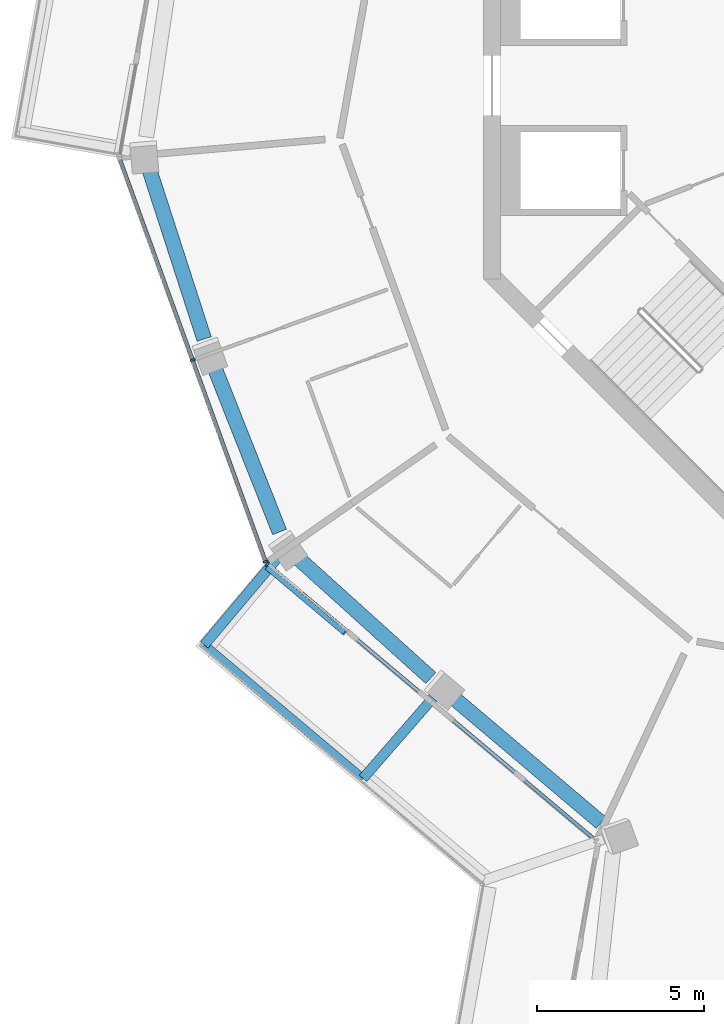
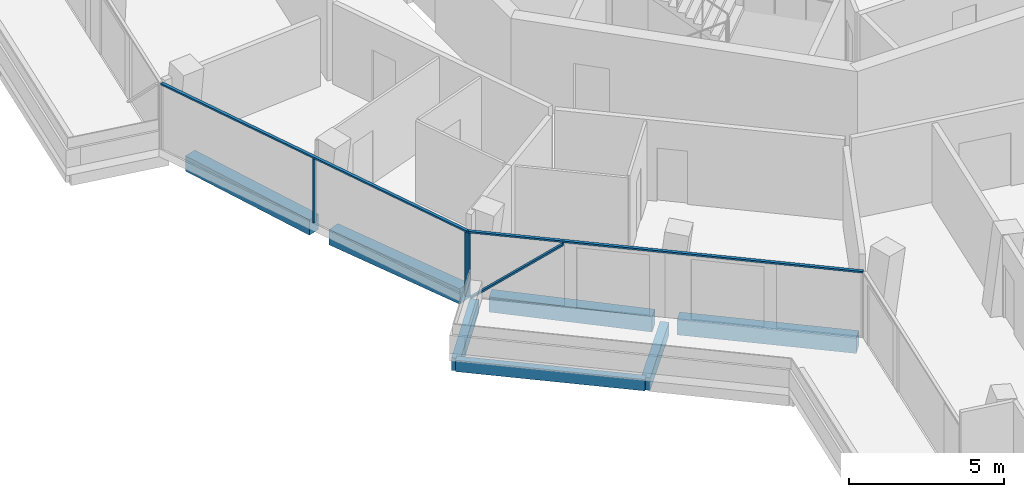
# One storey, part 3 of 22: 7 beams, 6 members, 2 elements without a shape of their own.
"""IFC4 building model written with IfcOpenShell, lengths in metres."""

from ifc_helpers import new_model, si_unit, direction, frame, origin, origin_2d, place, context, subcontext, project, spatial, rectangle, extrude, material, layer, layer_set, material_profile, profile_set, type_object, element, aggregate, save


model = new_model("IFC4")

# Units and contexts
model_context = context("Model", 3, precision=1e-05, world=origin(), true_north=direction((0.0, 1.0)))
body_context = subcontext(model_context, "Body", "Model", "MODEL_VIEW")
ifc_project = project(units=[si_unit("LENGTHUNIT", "METRE"), si_unit("AREAUNIT", "SQUARE_METRE"), si_unit("VOLUMEUNIT", "CUBIC_METRE"), si_unit("PLANEANGLEUNIT", "RADIAN"), si_unit("MASSUNIT", "GRAM", prefix="KILO")], contexts=[model_context])

# Site, building, storey
site_placement = place(None, origin())
site = spatial("IfcSite", under=ifc_project, at=site_placement, CompositionType="ELEMENT")
building_placement = place(site_placement, origin())
building = spatial("IfcBuilding", under=site, at=building_placement, Name="Verdalira Terraces Hotel", CompositionType="ELEMENT")
storey_placement = place(building_placement, frame((0.0, 0.0, 237.5)))
storey = spatial("IfcBuildingStorey", under=building, at=storey_placement, Name="L58", CompositionType="ELEMENT", Elevation=237.5)

# Beams
ifc_material_1 = material(Name="Concrete C40", Category="concrete")
ifc_material_profile_1 = material_profile(ifc_material_1, rectangle(XDim=0.300049, YDim=0.5, at=origin_2d()), Name="RC 300X500")
ifc_profile_set_1 = profile_set([ifc_material_profile_1], Name="Concrete C40")
beam_type_1 = type_object("IfcBeamType", Name="Balcony cantilever beam RC 300X500 C40", PredefinedType="BEAM", material=ifc_profile_set_1)
beam_1_placement = place(storey_placement, frame((-20.201416, -14.190674, -0.560059), z_axis=(-0.643892016, -0.765116378, 0.0), x_axis=(0.765116378, -0.643892016, 0.0)))
element("IfcBeam", 1, at=beam_1_placement, inside=storey, type_object=beam_type_1, Name="Balcony cantilever beam R13-2", PredefinedType="BEAM", context=body_context, shape_type="SweptSolid", body=[
    extrude(rectangle(XDim=0.300049, YDim=0.5, at=origin_2d()), origin(), (0.0, 0.0, 1.0), 3.393555),
])
beam_2_placement = place(storey_placement, frame((-15.521973, -18.381104, -0.560059), z_axis=(-0.656601631, -0.754237561, 0.0), x_axis=(0.754237561, -0.656601631, 0.0)))
element("IfcBeam", 2, at=beam_2_placement, inside=storey, type_object=beam_type_1, Name="Balcony cantilever beam R13-3", PredefinedType="BEAM", context=body_context, shape_type="SweptSolid", body=[
    extrude(rectangle(XDim=0.300049, YDim=0.5, at=origin_2d()), origin(), (0.0, 0.0, 1.0), 3.200684),
])
ifc_material_2 = material(Name="Concrete C40", Category="concrete")
ifc_material_profile_2 = material_profile(ifc_material_2, rectangle(XDim=0.25, YDim=0.449951, at=origin_2d()), Name="RC 250X450")
ifc_profile_set_2 = profile_set([ifc_material_profile_2], Name="Concrete C40")
beam_type_2 = type_object("IfcBeamType", Name="Balcony edge beam RC 250X450 C40", PredefinedType="BEAM", material=ifc_profile_set_2)
beam_3_placement = place(storey_placement, frame((-22.386475, -16.787109, -0.534912), z_axis=(0.765135918, -0.643868797, 0.0), x_axis=(0.643868797, 0.765135918, 0.0)))
element("IfcBeam", 3, at=beam_3_placement, inside=storey, type_object=beam_type_2, Name="Balcony edge beam R13-1", PredefinedType="BEAM", context=body_context, shape_type="SweptSolid", body=[
    extrude(rectangle(XDim=0.25, YDim=0.449951, at=origin_2d()), origin(), (0.0, 0.0, 1.0), 6.224854),
])

# Curtain wall, members
ifc_material_3 = material(Name="Clear glass", Category="glass")
ifc_layer = layer(ifc_material_3, 0.14990234375)
ifc_layer_set = layer_set([ifc_layer], Name="CW1 curtain wall")
curtain_wall_type = type_object("IfcCurtainWallType", Name="CW1 curtain wall", PredefinedType="NOTDEFINED", material=ifc_layer_set)
curtain_wall_1_placement = place(storey_placement, origin())
curtain_wall_1 = element("IfcCurtainWall", 4, at=curtain_wall_1_placement, inside=storey, type_object=curtain_wall_type, Name="CW1 curtain wall L58 edge 12", PredefinedType="NOTDEFINED")
ifc_material_4 = material(Name="Terracotta frame", Category="masonry")
ifc_material_profile_3 = material_profile(ifc_material_4, rectangle(XDim=0.060059, YDim=0.149902, at=origin_2d()), Name="MU 60x150")
ifc_profile_set_3 = profile_set([ifc_material_profile_3], Name="Terracotta frame")
member_type_1 = type_object("IfcMemberType", Name="CW1 mullion 60x150", PredefinedType="MULLION", material=ifc_profile_set_3)
member_1_placement = place(storey_placement, frame((-22.736328, -8.239502, 0.0), z_axis=(0.0, 0.0, 1.0), x_axis=(0.340707752, -0.940169255, 0.0)))
member_1 = element("IfcMember", 5, at=member_1_placement, type_object=member_type_1, Name="CW1 mullion", PredefinedType="MULLION", context=body_context, shape_type="SweptSolid", body=[
    extrude(rectangle(XDim=0.060059, YDim=0.149902, at=origin_2d()), origin(), (0.0, 0.0, 1.0), 2.524902),
])
member_2_placement = place(storey_placement, frame((-20.545654, -14.284668, 0.0), z_axis=(0.0, 0.0, 1.0), x_axis=(0.340707752, -0.940169255, 0.0)))
member_2 = element("IfcMember", 6, at=member_2_placement, type_object=member_type_1, Name="CW1 mullion", PredefinedType="MULLION", context=body_context, shape_type="SweptSolid", body=[
    extrude(rectangle(XDim=0.060059, YDim=0.149902, at=origin_2d()), origin(), (0.0, 0.0, 1.0), 2.524902),
])

# Curtain wall, member
curtain_wall_2_placement = place(storey_placement, origin())
curtain_wall_2 = element("IfcCurtainWall", 7, at=curtain_wall_2_placement, inside=storey, type_object=curtain_wall_type, Name="CW1 curtain wall L58 edge 13", PredefinedType="NOTDEFINED")
member_3_placement = place(storey_placement, frame((-20.490234, -14.364014, 0.0), z_axis=(0.0, 0.0, 1.0), x_axis=(0.765146196, -0.643856583, 0.0)))
member_3 = element("IfcMember", 8, at=member_3_placement, type_object=member_type_1, Name="CW1 mullion", PredefinedType="MULLION", context=body_context, shape_type="SweptSolid", body=[
    extrude(rectangle(XDim=0.060059, YDim=0.149902, at=origin_2d()), origin(), (0.0, 0.0, 1.0), 2.524902),
])

# Member
ifc_material_5 = material(Name="Terracotta frame", Category="masonry")
ifc_material_profile_4 = material_profile(ifc_material_5, rectangle(XDim=0.110107, YDim=0.064941, at=origin_2d()), Name="TR 65x110")
ifc_profile_set_4 = profile_set([ifc_material_profile_4], Name="Terracotta frame")
member_type_2 = type_object("IfcMemberType", Name="CW1 transom 65x110", PredefinedType="USERDEFINED", material=ifc_profile_set_4)
member_4_placement = place(storey_placement, frame((-24.937256, -2.166016, 2.557617), z_axis=(0.340708087, -0.940169133, 0.0), x_axis=(0.940169133, 0.340708087, 0.0)))
member_4 = element("IfcMember", 9, at=member_4_placement, type_object=member_type_2, Name="CW1 transom", ObjectType="TRANSOM", PredefinedType="USERDEFINED", context=body_context, shape_type="SweptSolid", body=[
    extrude(rectangle(XDim=0.110107, YDim=0.064941, at=origin_2d()), origin(), (0.0, 0.0, 1.0), 12.919678),
])

aggregate(curtain_wall_1, [member_1, member_2, member_4])

member_5_placement = place(storey_placement, frame((-20.513184, -14.344482, 2.557617), z_axis=(0.765133425, -0.643871759, 0.0), x_axis=(0.643871759, 0.765133425, 0.0)))
member_5 = element("IfcMember", 10, at=member_5_placement, type_object=member_type_2, Name="CW1 transom", ObjectType="TRANSOM", PredefinedType="USERDEFINED", context=body_context, shape_type="SweptSolid", body=[
    extrude(rectangle(XDim=0.110107, YDim=0.064941, at=origin_2d()), origin(), (0.0, 0.0, 1.0), 12.959961),
])

ifc_material_6 = material(Name="Terracotta frame", Category="masonry")
ifc_material_profile_5 = material_profile(ifc_material_6, rectangle(XDim=0.149902, YDim=0.060059, at=origin_2d()), Name="GB 60x150")
ifc_profile_set_5 = profile_set([ifc_material_profile_5], Name="Terracotta frame")
member_type_3 = type_object("IfcMemberType", Name="Diagonal glazing bar 60x150", PredefinedType="USERDEFINED", material=ifc_profile_set_5)
member_6_placement = place(storey_placement, frame((-20.501709, -14.470703, 0.024414), z_axis=(0.593222569, -0.499188758, 0.631583381), x_axis=(0.643858678, 0.765144432, 0.0)))
member_6 = element("IfcMember", 11, at=member_6_placement, type_object=member_type_3, Name="Diagonal glazing bar", ObjectType="GLAZING BAR", PredefinedType="USERDEFINED", context=body_context, shape_type="SweptSolid", body=[
    extrude(rectangle(XDim=0.149902, YDim=0.060059, at=origin_2d()), origin(), (0.0, 0.0, 1.0), 3.92041),
])

aggregate(curtain_wall_2, [member_3, member_5, member_6])

# Beams
ifc_material_7 = material(Name="Concrete C40", Category="concrete")
ifc_material_profile_6 = material_profile(ifc_material_7, rectangle(XDim=0.449951, YDim=0.600098, at=origin_2d()), Name="RC 450X600")
ifc_profile_set_6 = profile_set([ifc_material_profile_6], Name="Concrete C40")
beam_type_3 = type_object("IfcBeamType", Name="Spandrel beam RC 450X600 C40", PredefinedType="SPANDREL", material=ifc_profile_set_6)
beam_4_placement = place(storey_placement, frame((-24.05249, -2.473389, -0.610107), z_axis=(0.307841965, -0.951437504, 0.0), x_axis=(0.951437504, 0.307841965, 0.0)))
element("IfcBeam", 12, at=beam_4_placement, inside=storey, type_object=beam_type_3, Name="Spandrel beam B04", PredefinedType="SPANDREL", context=body_context, shape_type="SweptSolid", body=[
    extrude(rectangle(XDim=0.449951, YDim=0.600098, at=origin_2d()), origin(), (0.0, 0.0, 1.0), 5.396729),
])
beam_5_placement = place(storey_placement, frame((-22.112305, -8.384033, -0.610107), z_axis=(0.367728068, -0.929933368, 0.0), x_axis=(0.929933368, 0.367728068, 0.0)))
element("IfcBeam", 13, at=beam_5_placement, inside=storey, type_object=beam_type_3, Name="Spandrel beam B05", PredefinedType="SPANDREL", context=body_context, shape_type="SweptSolid", body=[
    extrude(rectangle(XDim=0.449951, YDim=0.600098, at=origin_2d()), origin(), (0.0, 0.0, 1.0), 5.394287),
])
beam_6_placement = place(storey_placement, frame((-19.593506, -14.168213, -0.610107), z_axis=(0.742305854, -0.670061205, 0.0), x_axis=(0.670061205, 0.742305854, 0.0)))
element("IfcBeam", 14, at=beam_6_placement, inside=storey, type_object=beam_type_3, Name="Spandrel beam B06", PredefinedType="SPANDREL", context=body_context, shape_type="SweptSolid", body=[
    extrude(rectangle(XDim=0.449951, YDim=0.600098, at=origin_2d()), origin(), (0.0, 0.0, 1.0), 5.396729),
])
beam_7_placement = place(storey_placement, frame((-14.975586, -18.319092, -0.610107), z_axis=(0.763260546, -0.646090813, 0.0), x_axis=(0.646090813, 0.763260546, 0.0)))
element("IfcBeam", 15, at=beam_7_placement, inside=storey, type_object=beam_type_3, Name="Spandrel beam B07", PredefinedType="SPANDREL", context=body_context, shape_type="SweptSolid", body=[
    extrude(rectangle(XDim=0.449951, YDim=0.600098, at=origin_2d()), origin(), (0.0, 0.0, 1.0), 5.892578),
])

save(model, "model.ifc")
